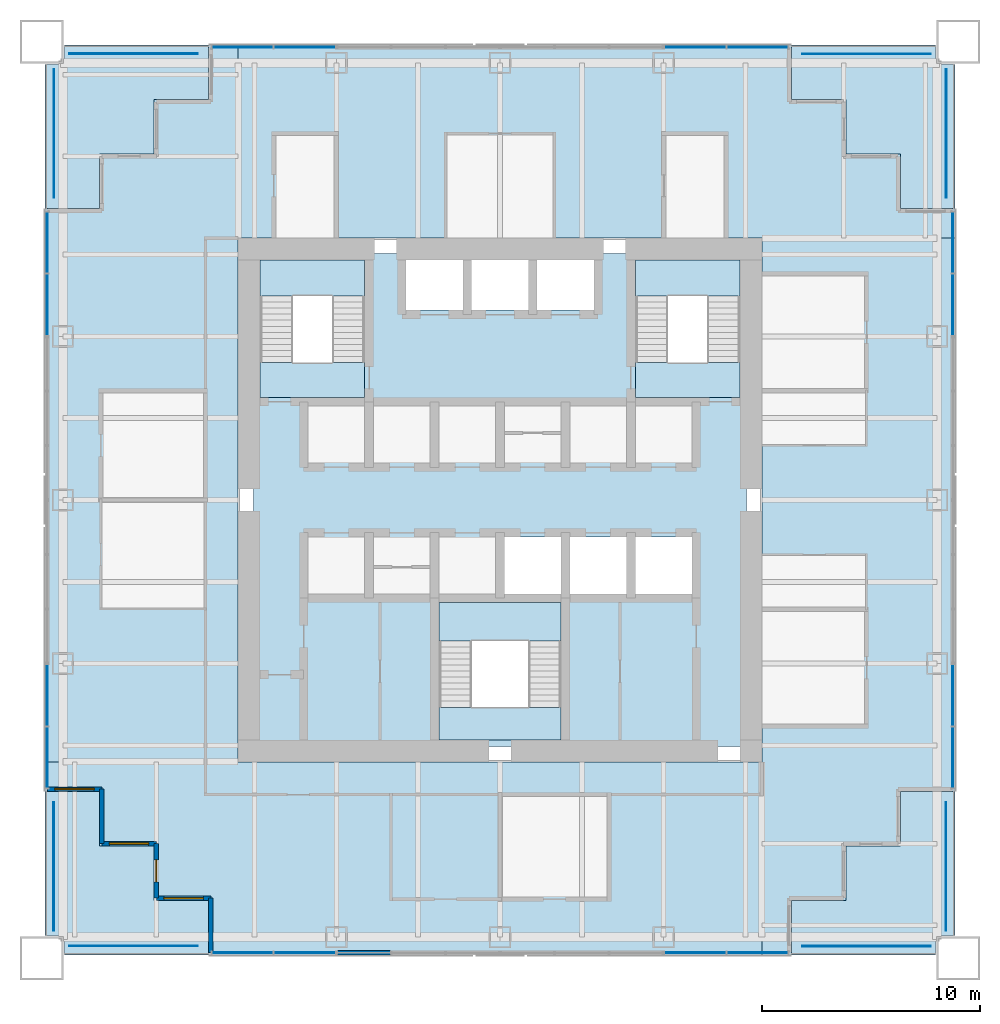
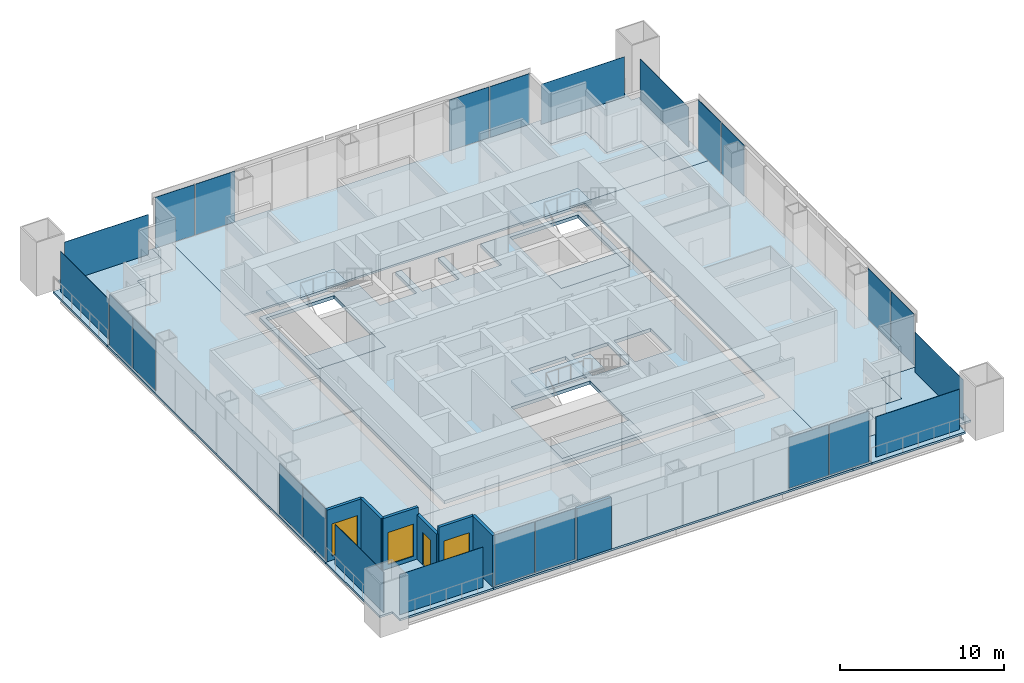
# One storey, part 8 of 14: 24 plates, 15 slabs, 7 walls, 3 windows, 1 door, 4 openings, 11 elements without a shape of their own.
"""IFC4 building model written with IfcOpenShell, lengths in metres."""

from ifc_helpers import new_model, si_unit, direction, frame, frame_2d, origin, origin_2d, place, context, subcontext, project, spatial, polyline, rectangle, outline, extrude, material, layer, layer_set, type_object, element, fill, aggregate, save


model = new_model("IFC4")

# Units and contexts
model_context = context("Model", 3, precision=1e-05, world=origin(), true_north=direction((0.0, 1.0)))
body_context = subcontext(model_context, "Body", "Model", "MODEL_VIEW")
ifc_project = project(units=[si_unit("LENGTHUNIT", "METRE"), si_unit("AREAUNIT", "SQUARE_METRE"), si_unit("VOLUMEUNIT", "CUBIC_METRE"), si_unit("PLANEANGLEUNIT", "RADIAN"), si_unit("MASSUNIT", "GRAM", prefix="KILO")], contexts=[model_context])

# Site, building, storey
site_placement = place(None, origin())
site = spatial("IfcSite", under=ifc_project, at=site_placement, CompositionType="ELEMENT")
building_placement = place(site_placement, origin())
building = spatial("IfcBuilding", under=site, at=building_placement, Name="Tarangal Relay Tower", CompositionType="ELEMENT")
storey_placement = place(building_placement, frame((0.0, 0.0, 311.89990234375)))
storey = spatial("IfcBuildingStorey", under=building, at=storey_placement, Name="L69", CompositionType="ELEMENT", Elevation=311.89990234375)

# Slabs
ifc_material_1 = material(Name="Concrete fc' 35 MPa", Category="concrete")
ifc_layer_1 = layer(ifc_material_1, 0.25)
ifc_layer_set_1 = layer_set([ifc_layer_1], Name="Core floor slab 250")
slab_type_1 = type_object("IfcSlabType", Name="Core floor slab 250", PredefinedType="FLOOR", material=ifc_layer_set_1)
slab_1_placement = place(storey_placement, frame((0.0, 0.0, -0.25)))
element("IfcSlab", 1, at=slab_1_placement, inside=storey, type_object=slab_type_1, Name="Core floor slab L69", PredefinedType="FLOOR", context=body_context, shape_type="SweptSolid", body=[
    extrude(outline(polyline([(11.300048828125, 11.300048828125), (11.300048828125, -11.300048828125), (-11.300048828125, -11.300048828125), (-11.300048828125, 11.300048828125), (-4.300048828125, 11.300048828125), (-4.300048828125, 8.699951171875), (-1.699951171875, 8.699951171875), (-1.699951171875, 11.300048828125), (-1.300048828125, 11.300048828125), (-1.300048828125, 8.699951171875), (1.300048828125, 8.699951171875), (1.300048828125, 11.300048828125), (1.699951171875, 11.300048828125), (1.699951171875, 8.699951171875), (4.300048828125, 8.699951171875), (4.300048828125, 11.300048828125), (11.300048828125, 11.300048828125)]), holes=[polyline([(2.800048828125, -4.699951171875), (-2.800048828125, -4.699951171875), (-2.800048828125, -11.0), (2.800048828125, -11.0), (2.800048828125, -4.699951171875)]), polyline([(2.800048828125, -1.699951171875), (0.199951171875, -1.699951171875), (0.199951171875, -4.300048828125), (2.800048828125, -4.300048828125), (2.800048828125, -1.699951171875)]), polyline([(5.800048828125, -1.699951171875), (3.199951171875, -1.699951171875), (3.199951171875, -4.300048828125), (5.800048828125, -4.300048828125), (5.800048828125, -1.699951171875)]), polyline([(8.800048828125, -1.699951171875), (6.199951171875, -1.699951171875), (6.199951171875, -4.300048828125), (8.800048828125, -4.300048828125), (8.800048828125, -1.699951171875)]), polyline([(-6.199951171875, 11.0), (-11.0, 11.0), (-11.0, 4.699951171875), (-6.199951171875, 4.699951171875), (-6.199951171875, 11.0)]), polyline([(11.0, 11.0), (6.199951171875, 11.0), (6.199951171875, 4.699951171875), (11.0, 4.699951171875), (11.0, 11.0)])]), origin(), (0.0, 0.0, 1.0), 0.25),
])
ifc_layer_2 = layer(ifc_material_1, 0.14990234375)
ifc_layer_set_2 = layer_set([ifc_layer_2], Name="Floor slab 150")
slab_type_2 = type_object("IfcSlabType", Name="Floor slab 150", PredefinedType="FLOOR", material=ifc_layer_set_2)
slab_2_placement = place(storey_placement, frame((0.0, 0.0, -0.14990234375)))
element("IfcSlab", 2, at=slab_2_placement, inside=storey, type_object=slab_type_2, Name="Floor slab FS3 L69 north bay", PredefinedType="FLOOR", context=body_context, shape_type="SweptSolid", body=[
    extrude(outline(polyline([(13.35009765625, 20.85009765625), (13.35009765625, 18.35009765625), (15.85009765625, 18.35009765625), (15.85009765625, 15.85009765625), (18.35009765625, 15.85009765625), (18.35009765625, 13.35009765625), (20.85009765625, 13.35009765625), (20.85009765625, 12.0), (-12.0, 12.0), (-12.0, 20.85009765625), (13.35009765625, 20.85009765625)])), origin(), (0.0, 0.0, 1.0), 0.14990234375),
])
slab_3_placement = place(storey_placement, frame((0.0, 0.0, -0.14990234375)))
element("IfcSlab", 3, at=slab_3_placement, inside=storey, type_object=slab_type_2, Name="Floor slab FS3 L69 east bay", PredefinedType="FLOOR", context=body_context, shape_type="SweptSolid", body=[
    extrude(outline(polyline([(20.85009765625, -13.35009765625), (18.35009765625, -13.35009765625), (18.35009765625, -15.85009765625), (15.85009765625, -15.85009765625), (15.85009765625, -18.35009765625), (13.35009765625, -18.35009765625), (13.35009765625, -20.85009765625), (12.0, -20.85009765625), (12.0, 12.0), (20.85009765625, 12.0), (20.85009765625, -13.35009765625)])), origin(), (0.0, 0.0, 1.0), 0.14990234375),
])
slab_4_placement = place(storey_placement, frame((0.0, 0.0, -0.14990234375)))
element("IfcSlab", 4, at=slab_4_placement, inside=storey, type_object=slab_type_2, Name="Floor slab FS3 L69 south bay", PredefinedType="FLOOR", context=body_context, shape_type="SweptSolid", body=[
    extrude(outline(polyline([(-13.35009765625, -20.85009765625), (-13.35009765625, -18.35009765625), (-15.85009765625, -18.35009765625), (-15.85009765625, -15.85009765625), (-18.35009765625, -15.85009765625), (-18.35009765625, -13.35009765625), (-20.85009765625, -13.35009765625), (-20.85009765625, -12.0), (12.0, -12.0), (12.0, -20.85009765625), (-13.35009765625, -20.85009765625)])), origin(), (0.0, 0.0, 1.0), 0.14990234375),
])
slab_5_placement = place(storey_placement, frame((0.0, 0.0, -0.14990234375)))
element("IfcSlab", 5, at=slab_5_placement, inside=storey, type_object=slab_type_2, Name="Floor slab FS3 L69 west bay", PredefinedType="FLOOR", context=body_context, shape_type="SweptSolid", body=[
    extrude(outline(polyline([(-12.0, 20.85009765625), (-12.0, -12.0), (-20.85009765625, -12.0), (-20.85009765625, 13.35009765625), (-18.35009765625, 13.35009765625), (-18.35009765625, 15.85009765625), (-15.85009765625, 15.85009765625), (-15.85009765625, 18.35009765625), (-13.35009765625, 18.35009765625), (-13.35009765625, 20.85009765625), (-12.0, 20.85009765625)])), origin(), (0.0, 0.0, 1.0), 0.14990234375),
])

# Curtain wall, plates
ifc_material_2 = material(Name="Unitised curtain wall, dark glass and black aluminium", Category="aluminium")
curtain_wall_type = type_object("IfcCurtainWallType", Name="Curtain wall CW-B", PredefinedType="USERDEFINED", material=ifc_material_2)
curtain_wall_1_placement = place(storey_placement, origin())
curtain_wall_1 = element("IfcCurtainWall", 6, at=curtain_wall_1_placement, inside=storey, type_object=curtain_wall_type, Name="Curtain wall CW-B N facade L69", ObjectType="UNITISED CURTAIN WALL", PredefinedType="USERDEFINED")
ifc_material_3 = material(Name="Dark tinted insulated glass unit", Category="glass")
ifc_layer_3 = layer(ifc_material_3, 0.030029296875)
ifc_layer_set_3 = layer_set([ifc_layer_3], Name="Glazed panel CW-B 30")
plate_type_1 = type_object("IfcPlateType", Name="Glazed panel CW-B 30", PredefinedType="CURTAIN_PANEL", material=ifc_layer_set_3)
plate_1_placement = place(storey_placement, frame((-11.797607421875, 20.75, 0.06005859375), z_axis=(0.0, 0.0, 1.0), x_axis=(1.0, 0.0, 0.0)))
plate_1 = element("IfcPlate", 7, at=plate_1_placement, type_object=plate_type_1, Name="CW-B panel 1.1", PredefinedType="CURTAIN_PANEL", context=body_context, shape_type="SweptSolid", body=[
    extrude(rectangle(XDim=2.784912109375, YDim=0.030029296875, at=origin_2d()), origin(), (0.0, 0.0, 1.0), 3.7900390625),
])
plate_2_placement = place(storey_placement, frame((-8.952392578125, 20.75, 0.06005859375), z_axis=(0.0, 0.0, 1.0), x_axis=(1.0, 0.0, 0.0)))
plate_2 = element("IfcPlate", 8, at=plate_2_placement, type_object=plate_type_1, Name="CW-B panel 2.1", PredefinedType="CURTAIN_PANEL", context=body_context, shape_type="SweptSolid", body=[
    extrude(rectangle(XDim=2.784912109375, YDim=0.030029296875, at=origin_2d()), origin(), (0.0, 0.0, 1.0), 3.7900390625),
])
aggregate(curtain_wall_1, [plate_1, plate_2])

curtain_wall_2_placement = place(storey_placement, origin())
curtain_wall_2 = element("IfcCurtainWall", 9, at=curtain_wall_2_placement, inside=storey, type_object=curtain_wall_type, Name="Curtain wall CW-B N facade L69", ObjectType="UNITISED CURTAIN WALL", PredefinedType="USERDEFINED")
plate_3_placement = place(storey_placement, frame((8.952392578125, 20.75, 0.06005859375), z_axis=(0.0, 0.0, 1.0), x_axis=(1.0, 0.0, 0.0)))
plate_3 = element("IfcPlate", 10, at=plate_3_placement, type_object=plate_type_1, Name="CW-B panel 1.1", PredefinedType="CURTAIN_PANEL", context=body_context, shape_type="SweptSolid", body=[
    extrude(rectangle(XDim=2.784912109375, YDim=0.030029296875, at=origin_2d()), origin(), (0.0, 0.0, 1.0), 3.7900390625),
])
plate_4_placement = place(storey_placement, frame((11.797607421875, 20.75, 0.06005859375), z_axis=(0.0, 0.0, 1.0), x_axis=(1.0, 0.0, 0.0)))
plate_4 = element("IfcPlate", 11, at=plate_4_placement, type_object=plate_type_1, Name="CW-B panel 2.1", PredefinedType="CURTAIN_PANEL", context=body_context, shape_type="SweptSolid", body=[
    extrude(rectangle(XDim=2.784912109375, YDim=0.030029296875, at=origin_2d()), origin(), (0.0, 0.0, 1.0), 3.7900390625),
])
aggregate(curtain_wall_2, [plate_3, plate_4])

curtain_wall_3_placement = place(storey_placement, origin())
curtain_wall_3 = element("IfcCurtainWall", 12, at=curtain_wall_3_placement, inside=storey, type_object=curtain_wall_type, Name="Curtain wall CW-B E facade L69", ObjectType="UNITISED CURTAIN WALL", PredefinedType="USERDEFINED")
plate_5_placement = place(storey_placement, frame((20.75, 11.797607421875, 0.06005859375), z_axis=(0.0, 0.0, 1.0), x_axis=(0.0, -1.0, 0.0)))
plate_5 = element("IfcPlate", 13, at=plate_5_placement, type_object=plate_type_1, Name="CW-B panel 1.1", PredefinedType="CURTAIN_PANEL", context=body_context, shape_type="SweptSolid", body=[
    extrude(rectangle(XDim=2.784912109375, YDim=0.030029296875, at=origin_2d()), origin(), (0.0, 0.0, 1.0), 3.7900390625),
])
plate_6_placement = place(storey_placement, frame((20.75, 8.952392578125, 0.06005859375), z_axis=(0.0, 0.0, 1.0), x_axis=(0.0, -1.0, 0.0)))
plate_6 = element("IfcPlate", 14, at=plate_6_placement, type_object=plate_type_1, Name="CW-B panel 2.1", PredefinedType="CURTAIN_PANEL", context=body_context, shape_type="SweptSolid", body=[
    extrude(rectangle(XDim=2.784912109375, YDim=0.030029296875, at=origin_2d()), origin(), (0.0, 0.0, 1.0), 3.7900390625),
])
aggregate(curtain_wall_3, [plate_5, plate_6])

curtain_wall_4_placement = place(storey_placement, origin())
curtain_wall_4 = element("IfcCurtainWall", 15, at=curtain_wall_4_placement, inside=storey, type_object=curtain_wall_type, Name="Curtain wall CW-B E facade L69", ObjectType="UNITISED CURTAIN WALL", PredefinedType="USERDEFINED")
plate_7_placement = place(storey_placement, frame((20.75, -8.952392578125, 0.06005859375), z_axis=(0.0, 0.0, 1.0), x_axis=(0.0, -1.0, 0.0)))
plate_7 = element("IfcPlate", 16, at=plate_7_placement, type_object=plate_type_1, Name="CW-B panel 1.1", PredefinedType="CURTAIN_PANEL", context=body_context, shape_type="SweptSolid", body=[
    extrude(rectangle(XDim=2.784912109375, YDim=0.030029296875, at=origin_2d()), origin(), (0.0, 0.0, 1.0), 3.7900390625),
])
plate_8_placement = place(storey_placement, frame((20.75, -11.797607421875, 0.06005859375), z_axis=(0.0, 0.0, 1.0), x_axis=(0.0, -1.0, 0.0)))
plate_8 = element("IfcPlate", 17, at=plate_8_placement, type_object=plate_type_1, Name="CW-B panel 2.1", PredefinedType="CURTAIN_PANEL", context=body_context, shape_type="SweptSolid", body=[
    extrude(rectangle(XDim=2.784912109375, YDim=0.030029296875, at=origin_2d()), origin(), (0.0, 0.0, 1.0), 3.7900390625),
])
aggregate(curtain_wall_4, [plate_7, plate_8])

curtain_wall_5_placement = place(storey_placement, origin())
curtain_wall_5 = element("IfcCurtainWall", 18, at=curtain_wall_5_placement, inside=storey, type_object=curtain_wall_type, Name="Curtain wall CW-B S facade L69", ObjectType="UNITISED CURTAIN WALL", PredefinedType="USERDEFINED")
plate_9_placement = place(storey_placement, frame((11.797607421875, -20.75, 0.06005859375), z_axis=(0.0, 0.0, 1.0), x_axis=(-1.0, 0.0, 0.0)))
plate_9 = element("IfcPlate", 19, at=plate_9_placement, type_object=plate_type_1, Name="CW-B panel 1.1", PredefinedType="CURTAIN_PANEL", context=body_context, shape_type="SweptSolid", body=[
    extrude(rectangle(XDim=2.784912109375, YDim=0.030029296875, at=origin_2d()), origin(), (0.0, 0.0, 1.0), 3.7900390625),
])
plate_10_placement = place(storey_placement, frame((8.952392578125, -20.75, 0.06005859375), z_axis=(0.0, 0.0, 1.0), x_axis=(-1.0, 0.0, 0.0)))
plate_10 = element("IfcPlate", 20, at=plate_10_placement, type_object=plate_type_1, Name="CW-B panel 2.1", PredefinedType="CURTAIN_PANEL", context=body_context, shape_type="SweptSolid", body=[
    extrude(rectangle(XDim=2.784912109375, YDim=0.030029296875, at=origin_2d()), origin(), (0.0, 0.0, 1.0), 3.7900390625),
])
aggregate(curtain_wall_5, [plate_9, plate_10])

curtain_wall_6_placement = place(storey_placement, origin())
curtain_wall_6 = element("IfcCurtainWall", 21, at=curtain_wall_6_placement, inside=storey, type_object=curtain_wall_type, Name="Curtain wall CW-B S facade L69", ObjectType="UNITISED CURTAIN WALL", PredefinedType="USERDEFINED")
plate_11_placement = place(storey_placement, frame((-8.952392578125, -20.75, 0.06005859375), z_axis=(0.0, 0.0, 1.0), x_axis=(-1.0, 0.0, 0.0)))
plate_11 = element("IfcPlate", 22, at=plate_11_placement, type_object=plate_type_1, Name="CW-B panel 1.1", PredefinedType="CURTAIN_PANEL", context=body_context, shape_type="SweptSolid", body=[
    extrude(rectangle(XDim=2.784912109375, YDim=0.030029296875, at=origin_2d()), origin(), (0.0, 0.0, 1.0), 3.7900390625),
])
plate_12_placement = place(storey_placement, frame((-11.797607421875, -20.75, 0.06005859375), z_axis=(0.0, 0.0, 1.0), x_axis=(-1.0, 0.0, 0.0)))
plate_12 = element("IfcPlate", 23, at=plate_12_placement, type_object=plate_type_1, Name="CW-B panel 2.1", PredefinedType="CURTAIN_PANEL", context=body_context, shape_type="SweptSolid", body=[
    extrude(rectangle(XDim=2.784912109375, YDim=0.030029296875, at=origin_2d()), origin(), (0.0, 0.0, 1.0), 3.7900390625),
])
aggregate(curtain_wall_6, [plate_11, plate_12])

curtain_wall_7_placement = place(storey_placement, origin())
curtain_wall_7 = element("IfcCurtainWall", 24, at=curtain_wall_7_placement, inside=storey, type_object=curtain_wall_type, Name="Curtain wall CW-B W facade L69", ObjectType="UNITISED CURTAIN WALL", PredefinedType="USERDEFINED")
plate_13_placement = place(storey_placement, frame((-20.75, -11.797607421875, 0.06005859375), z_axis=(0.0, 0.0, 1.0), x_axis=(0.0, 1.0, 0.0)))
plate_13 = element("IfcPlate", 25, at=plate_13_placement, type_object=plate_type_1, Name="CW-B panel 1.1", PredefinedType="CURTAIN_PANEL", context=body_context, shape_type="SweptSolid", body=[
    extrude(rectangle(XDim=2.784912109375, YDim=0.030029296875, at=origin_2d()), origin(), (0.0, 0.0, 1.0), 3.7900390625),
])
plate_14_placement = place(storey_placement, frame((-20.75, -8.952392578125, 0.06005859375), z_axis=(0.0, 0.0, 1.0), x_axis=(0.0, 1.0, 0.0)))
plate_14 = element("IfcPlate", 26, at=plate_14_placement, type_object=plate_type_1, Name="CW-B panel 2.1", PredefinedType="CURTAIN_PANEL", context=body_context, shape_type="SweptSolid", body=[
    extrude(rectangle(XDim=2.784912109375, YDim=0.030029296875, at=origin_2d()), origin(), (0.0, 0.0, 1.0), 3.7900390625),
])
aggregate(curtain_wall_7, [plate_13, plate_14])

curtain_wall_8_placement = place(storey_placement, origin())
curtain_wall_8 = element("IfcCurtainWall", 27, at=curtain_wall_8_placement, inside=storey, type_object=curtain_wall_type, Name="Curtain wall CW-B W facade L69", ObjectType="UNITISED CURTAIN WALL", PredefinedType="USERDEFINED")
plate_15_placement = place(storey_placement, frame((-20.75, 8.952392578125, 0.06005859375), z_axis=(0.0, 0.0, 1.0), x_axis=(0.0, 1.0, 0.0)))
plate_15 = element("IfcPlate", 28, at=plate_15_placement, type_object=plate_type_1, Name="CW-B panel 1.1", PredefinedType="CURTAIN_PANEL", context=body_context, shape_type="SweptSolid", body=[
    extrude(rectangle(XDim=2.784912109375, YDim=0.030029296875, at=origin_2d()), origin(), (0.0, 0.0, 1.0), 3.7900390625),
])
plate_16_placement = place(storey_placement, frame((-20.75, 11.797607421875, 0.06005859375), z_axis=(0.0, 0.0, 1.0), x_axis=(0.0, 1.0, 0.0)))
plate_16 = element("IfcPlate", 29, at=plate_16_placement, type_object=plate_type_1, Name="CW-B panel 2.1", PredefinedType="CURTAIN_PANEL", context=body_context, shape_type="SweptSolid", body=[
    extrude(rectangle(XDim=2.784912109375, YDim=0.030029296875, at=origin_2d()), origin(), (0.0, 0.0, 1.0), 3.7900390625),
])
aggregate(curtain_wall_8, [plate_15, plate_16])

# Plates
ifc_material_4 = material(Name="Black stainless steel cable trellis with climbing planting", Category="steel")
ifc_layer_4 = layer(ifc_material_4, 0.030029296875)
ifc_layer_set_4 = layer_set([ifc_layer_4], Name="Planted trellis screen")
plate_type_2 = type_object("IfcPlateType", Name="Planted trellis screen", PredefinedType="SHEET", material=ifc_layer_set_4)
for number, where, z_axis, x_axis, name in (
    (30, (20.449951171875, 16.800048828125, 0.0), (0.0, 0.0, 1.0), (0.0, -1.0, 0.0), "Planted trellis SC2 NE L69"),
    (31, (16.800048828125, -20.449951171875, 0.0), (0.0, 0.0, 1.0), (-1.0, 0.0, 0.0), "Planted trellis SC2 SE L69"),
    (32, (-20.449951171875, -16.800048828125, 0.0), (0.0, 0.0, 1.0), (0.0, 1.0, 0.0), "Planted trellis SC2 SW L69"),
    (33, (-16.800048828125, 20.449951171875, 0.0), (0.0, 0.0, 1.0), (1.0, 0.0, 0.0), "Planted trellis SC2 NW L69"),
):
    element("IfcPlate", number, at=place(storey_placement, frame(where, z_axis=z_axis, x_axis=x_axis)), inside=storey, type_object=plate_type_2, Name=name, PredefinedType="SHEET", context=body_context, shape_type="SweptSolid", body=[
        extrude(rectangle(XDim=5.89990234375, YDim=0.030029296875, at=origin_2d()), origin(), (0.0, 0.0, 1.0), 3.0),
    ])

# Stair, slabs
ifc_material_5 = material(Name="Steel ASTM A992 stair flight", Category="steel")
stair_type = type_object("IfcStairType", Name="Core stair 1500", PredefinedType="HALF_TURN_STAIR", material=ifc_material_5)
stair_1_placement = place(storey_placement, origin())
stair_1 = element("IfcStair", 34, at=stair_1_placement, inside=storey, type_object=stair_type, Name="Stair ST-A L69", PredefinedType="HALF_TURN_STAIR")
ifc_layer_5 = layer(ifc_material_1, 0.199951171875)
ifc_layer_set_5 = layer_set([ifc_layer_5], Name="Stair landing 200")
slab_type_3 = type_object("IfcSlabType", Name="Stair landing 200", PredefinedType="LANDING", material=ifc_layer_set_5)
slab_6_placement = place(storey_placement, frame((0.0, 0.0, -0.199951171875)))
slab_6 = element("IfcSlab", 35, at=slab_6_placement, type_object=slab_type_3, Name="ST-A landing 1", PredefinedType="LANDING", context=body_context, shape_type="SweptSolid", body=[
    extrude(outline(polyline([(-11.0, 4.699951171875), (-6.199951171875, 4.699951171875), (-6.199951171875, 6.300048828125), (-11.0, 6.300048828125), (-11.0, 4.699951171875)])), origin(), (0.0, 0.0, 1.0), 0.199951171875),
])
slab_7_placement = place(storey_placement, frame((0.0, 0.0, 1.800048828125)))
slab_7 = element("IfcSlab", 36, at=slab_7_placement, type_object=slab_type_3, Name="ST-A landing 2", PredefinedType="LANDING", context=body_context, shape_type="SweptSolid", body=[
    extrude(outline(polyline([(-11.0, 9.346923828125), (-6.199951171875, 9.346923828125), (-6.199951171875, 11.0), (-11.0, 11.0), (-11.0, 9.346923828125)])), origin(), (0.0, 0.0, 1.0), 0.199951171875),
])
aggregate(stair_1, [slab_6, slab_7])

stair_2_placement = place(storey_placement, origin())
stair_2 = element("IfcStair", 37, at=stair_2_placement, inside=storey, type_object=stair_type, Name="Stair ST-B L69", PredefinedType="HALF_TURN_STAIR")
slab_8_placement = place(storey_placement, frame((0.0, 0.0, -0.199951171875)))
slab_8 = element("IfcSlab", 38, at=slab_8_placement, type_object=slab_type_3, Name="ST-B landing 1", PredefinedType="LANDING", context=body_context, shape_type="SweptSolid", body=[
    extrude(outline(polyline([(6.199951171875, 4.699951171875), (11.0, 4.699951171875), (11.0, 6.300048828125), (6.199951171875, 6.300048828125), (6.199951171875, 4.699951171875)])), origin(), (0.0, 0.0, 1.0), 0.199951171875),
])
slab_9_placement = place(storey_placement, frame((0.0, 0.0, 1.800048828125)))
slab_9 = element("IfcSlab", 39, at=slab_9_placement, type_object=slab_type_3, Name="ST-B landing 2", PredefinedType="LANDING", context=body_context, shape_type="SweptSolid", body=[
    extrude(outline(polyline([(6.199951171875, 9.346923828125), (11.0, 9.346923828125), (11.0, 11.0), (6.199951171875, 11.0), (6.199951171875, 9.346923828125)])), origin(), (0.0, 0.0, 1.0), 0.199951171875),
])
aggregate(stair_2, [slab_8, slab_9])

stair_3_placement = place(storey_placement, origin())
stair_3 = element("IfcStair", 40, at=stair_3_placement, inside=storey, type_object=stair_type, Name="Stair ST-C L69", PredefinedType="HALF_TURN_STAIR")
slab_10_placement = place(storey_placement, frame((0.0, 0.0, -0.199951171875)))
slab_10 = element("IfcSlab", 41, at=slab_10_placement, type_object=slab_type_3, Name="ST-C landing 1", PredefinedType="LANDING", context=body_context, shape_type="SweptSolid", body=[
    extrude(outline(polyline([(-2.800048828125, -11.0), (2.800048828125, -11.0), (2.800048828125, -9.5), (-2.800048828125, -9.5), (-2.800048828125, -11.0)])), origin(), (0.0, 0.0, 1.0), 0.199951171875),
])
slab_11_placement = place(storey_placement, frame((0.0, 0.0, 1.800048828125)))
slab_11 = element("IfcSlab", 42, at=slab_11_placement, type_object=slab_type_3, Name="ST-C landing 2", PredefinedType="LANDING", context=body_context, shape_type="SweptSolid", body=[
    extrude(outline(polyline([(-2.800048828125, -6.452880859375), (2.800048828125, -6.452880859375), (2.800048828125, -4.699951171875), (-2.800048828125, -4.699951171875), (-2.800048828125, -6.452880859375)])), origin(), (0.0, 0.0, 1.0), 0.199951171875),
])
aggregate(stair_3, [slab_10, slab_11])

# Plates
ifc_material_6 = material(Name="Perforated black aluminium screen", Category="aluminium")
ifc_layer_6 = layer(ifc_material_6, 0.02001953125)
ifc_layer_set_6 = layer_set([ifc_layer_6], Name="Terrace screen panel")
plate_type_3 = type_object("IfcPlateType", Name="Terrace screen panel", PredefinedType="SHEET", material=ifc_layer_set_6)
for number, where, z_axis, x_axis, name in (
    (43, (16.800048828125, 20.449951171875, 0.0), (0.0, 0.0, 1.0), (1.0, 0.0, 0.0), "Terrace screen SC1 NE L69"),
    (44, (20.449951171875, -16.800048828125, 0.0), (0.0, 0.0, 1.0), (0.0, -1.0, 0.0), "Terrace screen SC1 SE L69"),
    (45, (-16.800048828125, -20.449951171875, 0.0), (0.0, 0.0, 1.0), (-1.0, 0.0, 0.0), "Terrace screen SC1 SW L69"),
    (46, (-20.449951171875, 16.800048828125, 0.0), (0.0, 0.0, 1.0), (0.0, 1.0, 0.0), "Terrace screen SC1 NW L69"),
):
    element("IfcPlate", number, at=place(storey_placement, frame(where, z_axis=z_axis, x_axis=x_axis)), inside=storey, type_object=plate_type_3, Name=name, PredefinedType="SHEET", context=body_context, shape_type="SweptSolid", body=[
        extrude(rectangle(XDim=5.89990234375, YDim=0.02001953125, at=origin_2d()), origin(), (0.0, 0.0, 1.0), 3.0),
    ])

# Slabs
ifc_layer_7 = layer(ifc_material_1, 0.14990234375)
ifc_layer_set_7 = layer_set([ifc_layer_7], Name="Terrace slab 150")
slab_type_4 = type_object("IfcSlabType", Name="Terrace slab 150", PredefinedType="FLOOR", material=ifc_layer_set_7)
slab_12_placement = place(storey_placement, frame((0.0, 0.0, -0.14990234375)))
element("IfcSlab", 47, at=slab_12_placement, inside=storey, type_object=slab_type_4, Name="Corner terrace NE L69", PredefinedType="FLOOR", context=body_context, shape_type="SweptSolid", body=[
    extrude(outline(polyline([(13.35009765625, 20.85009765625), (13.35009765625, 18.35009765625), (15.85009765625, 18.35009765625), (15.85009765625, 15.85009765625), (18.35009765625, 15.85009765625), (18.35009765625, 13.35009765625), (20.85009765625, 13.35009765625), (20.85009765625, 19.949951171875), (19.949951171875, 19.949951171875), (19.949951171875, 20.85009765625), (13.35009765625, 20.85009765625)])), origin(), (0.0, 0.0, 1.0), 0.14990234375),
])
slab_13_placement = place(storey_placement, frame((0.0, 0.0, -0.14990234375)))
element("IfcSlab", 48, at=slab_13_placement, inside=storey, type_object=slab_type_4, Name="Corner terrace SE L69", PredefinedType="FLOOR", context=body_context, shape_type="SweptSolid", body=[
    extrude(outline(polyline([(20.85009765625, -13.35009765625), (18.35009765625, -13.35009765625), (18.35009765625, -15.85009765625), (15.85009765625, -15.85009765625), (15.85009765625, -18.35009765625), (13.35009765625, -18.35009765625), (13.35009765625, -20.85009765625), (19.949951171875, -20.85009765625), (19.949951171875, -19.949951171875), (20.85009765625, -19.949951171875), (20.85009765625, -13.35009765625)])), origin(), (0.0, 0.0, 1.0), 0.14990234375),
])
slab_14_placement = place(storey_placement, frame((0.0, 0.0, -0.14990234375)))
element("IfcSlab", 49, at=slab_14_placement, inside=storey, type_object=slab_type_4, Name="Corner terrace SW L69", PredefinedType="FLOOR", context=body_context, shape_type="SweptSolid", body=[
    extrude(outline(polyline([(-13.35009765625, -20.85009765625), (-13.35009765625, -18.35009765625), (-15.85009765625, -18.35009765625), (-15.85009765625, -15.85009765625), (-18.35009765625, -15.85009765625), (-18.35009765625, -13.35009765625), (-20.85009765625, -13.35009765625), (-20.85009765625, -19.949951171875), (-19.949951171875, -19.949951171875), (-19.949951171875, -20.85009765625), (-13.35009765625, -20.85009765625)])), origin(), (0.0, 0.0, 1.0), 0.14990234375),
])
slab_15_placement = place(storey_placement, frame((0.0, 0.0, -0.14990234375)))
element("IfcSlab", 50, at=slab_15_placement, inside=storey, type_object=slab_type_4, Name="Corner terrace NW L69", PredefinedType="FLOOR", context=body_context, shape_type="SweptSolid", body=[
    extrude(outline(polyline([(-20.85009765625, 13.35009765625), (-18.35009765625, 13.35009765625), (-18.35009765625, 15.85009765625), (-15.85009765625, 15.85009765625), (-15.85009765625, 18.35009765625), (-13.35009765625, 18.35009765625), (-13.35009765625, 20.85009765625), (-19.949951171875, 20.85009765625), (-19.949951171875, 19.949951171875), (-20.85009765625, 19.949951171875), (-20.85009765625, 13.35009765625)])), origin(), (0.0, 0.0, 1.0), 0.14990234375),
])

# Wall
ifc_material_7 = material(Name="Black metal clad insulated wall", Category="steel")
ifc_layer_8 = layer(ifc_material_7, 0.199951171875)
ifc_layer_set_8 = layer_set([ifc_layer_8], Name="Corner wall metal clad 200")
wall_type_1 = type_object("IfcWallType", Name="Corner wall metal clad 200", PredefinedType="SOLIDWALL", material=ifc_layer_set_8)
wall_1_placement = place(storey_placement, frame((-13.25, -20.75, 0.0), z_axis=(0.0, 0.0, 1.0), x_axis=(0.0, 1.0, 0.0)))
element("IfcWall", 51, at=wall_1_placement, inside=storey, type_object=wall_type_1, Name="Facade wall S facade L69", PredefinedType="SOLIDWALL", context=body_context, shape_type="SweptSolid", body=[
    extrude(rectangle(XDim=2.5, YDim=0.199951171875, at=frame_2d((1.25, 0.0))), origin(), (0.0, 0.0, 1.0), 3.85009765625),
])

# Wall, opening, window
wall_2_placement = place(storey_placement, frame((-13.25, -18.25, 0.0), z_axis=(0.0, 0.0, 1.0), x_axis=(-1.0, 0.0, 0.0)))
wall_2 = element("IfcWall", 52, at=wall_2_placement, inside=storey, type_object=wall_type_1, Name="Facade wall S facade L69", PredefinedType="SOLIDWALL", context=body_context, shape_type="SweptSolid", body=[
    extrude(rectangle(XDim=2.5, YDim=0.199951171875, at=frame_2d((1.25, 0.0))), origin(), (0.0, 0.0, 1.0), 3.85009765625),
])
opening_1_placement = place(wall_2_placement, frame((0.35009765625, 0.0, 0.300048828125)))
opening_1 = element("IfcOpeningElement", 53, at=opening_1_placement, cuts=wall_2, Name="Opening WN2", PredefinedType="OPENING", context=body_context, shape_type="SweptSolid", body=[
    extrude(rectangle(XDim=1.800048828125, YDim=2.39990234375, at=frame_2d((0.89990234375, 1.199951171875))), frame((0.0, 0.10986328125, 0.0), z_axis=(0.0, -1.0, 0.0), x_axis=(1.0, 0.0, 0.0)), (0.0, 0.0, 1.0), 0.219970703125),
])
ifc_material_8 = material(Name="Dark tinted double glazing in black aluminium frame", Category="aluminium")
window_type = type_object("IfcWindowType", Name="Corner window 1800 x 2400", PartitioningType="SINGLE_PANEL", PredefinedType="WINDOW", material=ifc_material_8)
window_1_placement = place(opening_1_placement, origin())
window_1 = element("IfcWindow", 54, at=window_1_placement, inside=storey, type_object=window_type, Name="Corner window WN2 S facade L69", OverallHeight=2.39990234375, OverallWidth=1.800048828125, PartitioningType="SINGLE_PANEL", PredefinedType="WINDOW", context=body_context, shape_type="SweptSolid", body=[
    extrude(rectangle(XDim=1.800048828125, YDim=2.39990234375, at=frame_2d((0.89990234375, 1.199951171875))), frame((0.0, 0.030029296875, 0.0), z_axis=(0.0, -1.0, 0.0), x_axis=(1.0, 0.0, 0.0)), (0.0, 0.0, 1.0), 0.06005859375),
])
fill(opening_1, window_1)

# Wall, opening, door
wall_3_placement = place(storey_placement, frame((-15.75, -18.25, 0.0), z_axis=(0.0, 0.0, 1.0), x_axis=(0.0, 1.0, 0.0)))
wall_3 = element("IfcWall", 55, at=wall_3_placement, inside=storey, type_object=wall_type_1, Name="Facade wall S facade L69", PredefinedType="SOLIDWALL", context=body_context, shape_type="SweptSolid", body=[
    extrude(rectangle(XDim=2.5, YDim=0.199951171875, at=frame_2d((1.25, 0.0))), origin(), (0.0, 0.0, 1.0), 3.316650390625),
])
opening_2_placement = place(wall_3_placement, frame((0.75, 0.0, 0.0)))
opening_2 = element("IfcOpeningElement", 56, at=opening_2_placement, cuts=wall_3, Name="Opening TD1", PredefinedType="OPENING", context=body_context, shape_type="SweptSolid", body=[
    extrude(rectangle(XDim=1.0, YDim=2.39990234375, at=frame_2d((0.5, 1.199951171875))), frame((0.0, 0.10986328125, 0.0), z_axis=(0.0, -1.0, 0.0), x_axis=(1.0, 0.0, 0.0)), (0.0, 0.0, 1.0), 0.219970703125),
])
ifc_material_9 = material(Name="Aluminium glazed door", Category="aluminium")
door_type = type_object("IfcDoorType", Name="Terrace door 1000 x 2400", OperationType="SINGLE_SWING_RIGHT", PredefinedType="DOOR", material=ifc_material_9)
door_placement = place(opening_2_placement, origin())
door = element("IfcDoor", 57, at=door_placement, inside=storey, type_object=door_type, Name="Terrace door TD1 SW L69", OperationType="SINGLE_SWING_RIGHT", OverallHeight=2.39990234375, OverallWidth=1.0, PredefinedType="DOOR", context=body_context, shape_type="SweptSolid", body=[
    extrude(rectangle(XDim=1.0, YDim=2.39990234375, at=frame_2d((0.5, 1.199951171875))), frame((0.0, 0.02490234375, 0.0), z_axis=(0.0, -1.0, 0.0), x_axis=(1.0, 0.0, 0.0)), (0.0, 0.0, 1.0), 0.050048828125),
])
fill(opening_2, door)

# Wall, opening, window
wall_4_placement = place(storey_placement, frame((-15.75, -15.75, 0.0), z_axis=(0.0, 0.0, 1.0), x_axis=(-1.0, 0.0, 0.0)))
wall_4 = element("IfcWall", 58, at=wall_4_placement, inside=storey, type_object=wall_type_1, Name="Facade wall S facade L69", PredefinedType="SOLIDWALL", context=body_context, shape_type="SweptSolid", body=[
    extrude(rectangle(XDim=2.5, YDim=0.199951171875, at=frame_2d((1.25, 0.0))), origin(), (0.0, 0.0, 1.0), 3.85009765625),
])
opening_3_placement = place(wall_4_placement, frame((0.35009765625, 0.0, 0.300048828125)))
opening_3 = element("IfcOpeningElement", 59, at=opening_3_placement, cuts=wall_4, Name="Opening WN2", PredefinedType="OPENING", context=body_context, shape_type="SweptSolid", body=[
    extrude(rectangle(XDim=1.800048828125, YDim=2.39990234375, at=frame_2d((0.89990234375, 1.199951171875))), frame((0.0, 0.10986328125, 0.0), z_axis=(0.0, -1.0, 0.0), x_axis=(1.0, 0.0, 0.0)), (0.0, 0.0, 1.0), 0.219970703125),
])
window_2_placement = place(opening_3_placement, origin())
window_2 = element("IfcWindow", 60, at=window_2_placement, inside=storey, type_object=window_type, Name="Corner window WN2 S facade L69", OverallHeight=2.39990234375, OverallWidth=1.800048828125, PartitioningType="SINGLE_PANEL", PredefinedType="WINDOW", context=body_context, shape_type="SweptSolid", body=[
    extrude(rectangle(XDim=1.800048828125, YDim=2.39990234375, at=frame_2d((0.89990234375, 1.199951171875))), frame((0.0, 0.030029296875, 0.0), z_axis=(0.0, -1.0, 0.0), x_axis=(1.0, 0.0, 0.0)), (0.0, 0.0, 1.0), 0.06005859375),
])
fill(opening_3, window_2)

# Wall
wall_5_placement = place(storey_placement, frame((-18.25, -15.75, 0.0), z_axis=(0.0, 0.0, 1.0), x_axis=(0.0, 1.0, 0.0)))
element("IfcWall", 61, at=wall_5_placement, inside=storey, type_object=wall_type_1, Name="Facade wall S facade L69", PredefinedType="SOLIDWALL", context=body_context, shape_type="SweptSolid", body=[
    extrude(rectangle(XDim=2.5, YDim=0.199951171875, at=frame_2d((1.25, 0.0))), origin(), (0.0, 0.0, 1.0), 3.85009765625),
])

# Wall, opening, window
wall_6_placement = place(storey_placement, frame((-18.25, -13.25, 0.0), z_axis=(0.0, 0.0, 1.0), x_axis=(-1.0, 0.0, 0.0)))
wall_6 = element("IfcWall", 62, at=wall_6_placement, inside=storey, type_object=wall_type_1, Name="Facade wall S facade L69", PredefinedType="SOLIDWALL", context=body_context, shape_type="SweptSolid", body=[
    extrude(rectangle(XDim=2.5, YDim=0.199951171875, at=frame_2d((1.25, 0.0))), origin(), (0.0, 0.0, 1.0), 3.85009765625),
])
opening_4_placement = place(wall_6_placement, frame((0.35009765625, 0.0, 0.300048828125)))
opening_4 = element("IfcOpeningElement", 63, at=opening_4_placement, cuts=wall_6, Name="Opening WN2", PredefinedType="OPENING", context=body_context, shape_type="SweptSolid", body=[
    extrude(rectangle(XDim=1.800048828125, YDim=2.39990234375, at=frame_2d((0.89990234375, 1.199951171875))), frame((0.0, 0.10986328125, 0.0), z_axis=(0.0, -1.0, 0.0), x_axis=(1.0, 0.0, 0.0)), (0.0, 0.0, 1.0), 0.219970703125),
])
window_3_placement = place(opening_4_placement, origin())
window_3 = element("IfcWindow", 64, at=window_3_placement, inside=storey, type_object=window_type, Name="Corner window WN2 S facade L69", OverallHeight=2.39990234375, OverallWidth=1.800048828125, PartitioningType="SINGLE_PANEL", PredefinedType="WINDOW", context=body_context, shape_type="SweptSolid", body=[
    extrude(rectangle(XDim=1.800048828125, YDim=2.39990234375, at=frame_2d((0.89990234375, 1.199951171875))), frame((0.0, 0.030029296875, 0.0), z_axis=(0.0, -1.0, 0.0), x_axis=(1.0, 0.0, 0.0)), (0.0, 0.0, 1.0), 0.06005859375),
])
fill(opening_4, window_3)

# Wall
ifc_layer_9 = layer(ifc_material_7, 0.199951171875)
ifc_layer_set_9 = layer_set([ifc_layer_9], Name="Facade infill wall metal clad 200")
wall_type_2 = type_object("IfcWallType", Name="Facade infill wall metal clad 200", PredefinedType="SOLIDWALL", material=ifc_layer_set_9)
wall_7_placement = place(storey_placement, frame((-5.030029296875, -20.75, 0.0), z_axis=(0.0, 0.0, 1.0), x_axis=(-1.0, 0.0, 0.0)))
element("IfcWall", 65, at=wall_7_placement, inside=storey, type_object=wall_type_2, Name="Facade infill wall S facade L69 3.1", PredefinedType="SOLIDWALL", context=body_context, shape_type="SweptSolid", body=[
    extrude(rectangle(XDim=2.409912109375, YDim=0.199951171875, at=frame_2d((1.205078125, 0.0))), origin(), (0.0, 0.0, 1.0), 3.85009765625),
])

save(model, "model.ifc")
